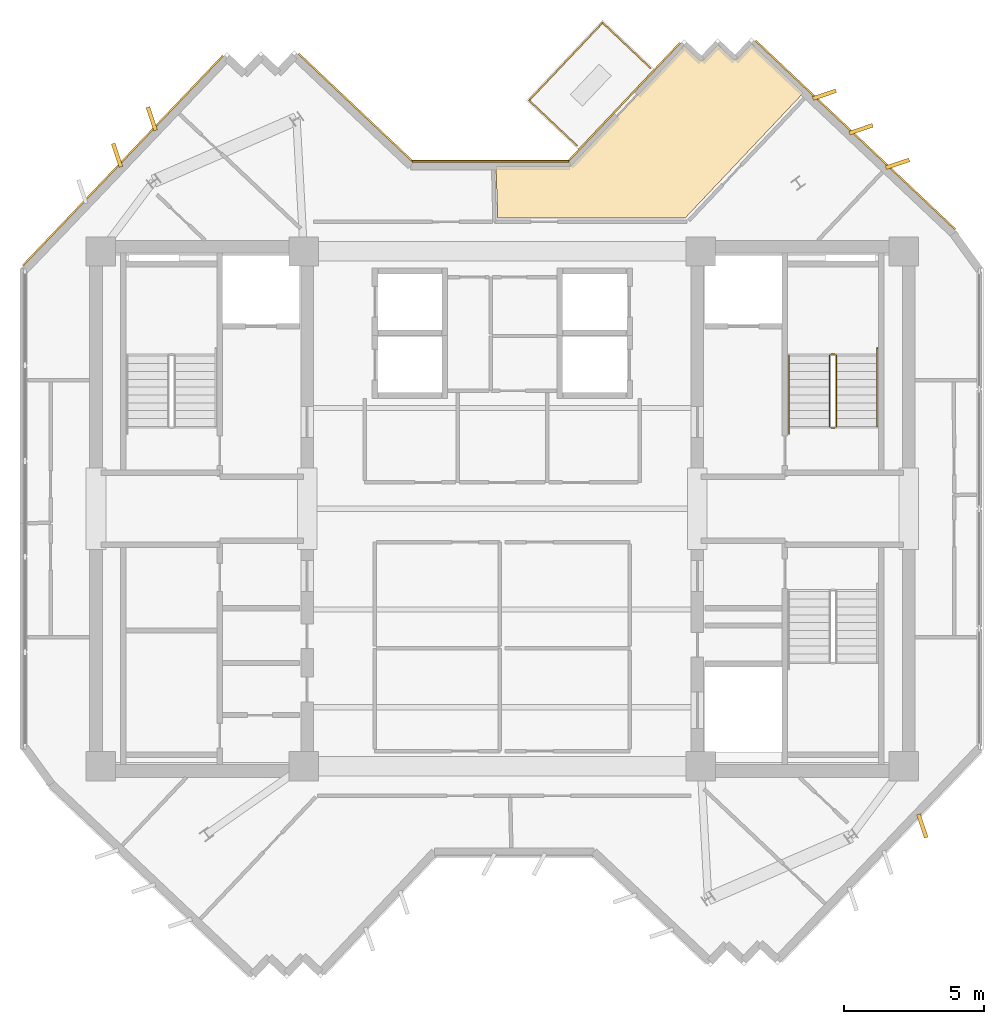
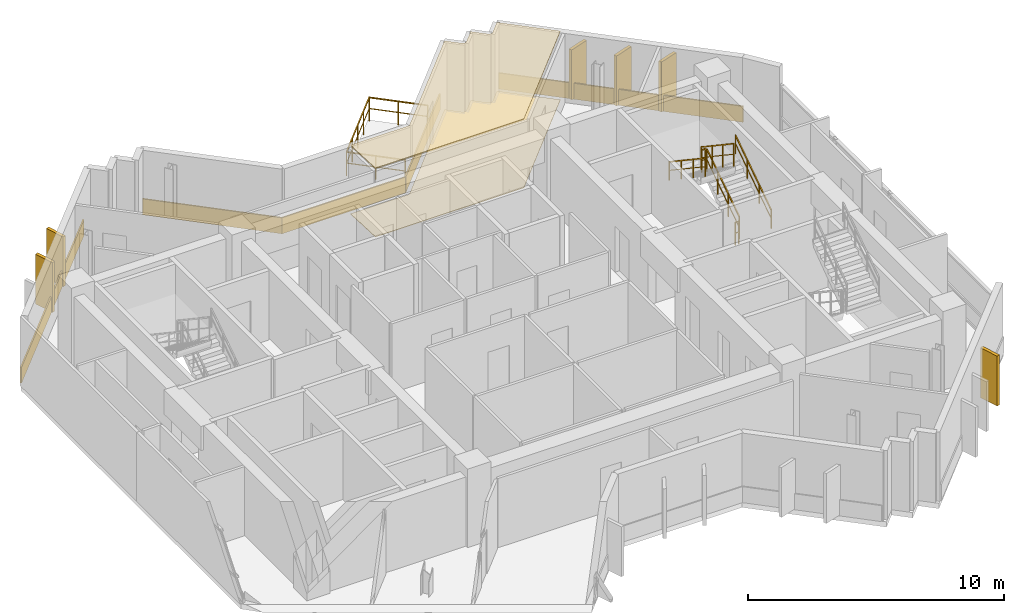
# One storey, part 9 of 9: 13 coverings, 9 railings.
"""IFC4 building model written with IfcOpenShell, lengths in metres."""

from ifc_helpers import new_model, si_unit, direction, frame, origin, origin_2d, place, context, subcontext, project, spatial, polyline, rectangle, outline, extrude, source, transform, mapped, material, layer, layer_set, type_object, element, save


model = new_model("IFC4")

# Units and contexts
model_context = context("Model", 3, precision=1e-05, world=origin(), true_north=direction((0.0, 1.0)))
body_context = subcontext(model_context, "Body", "Model", "MODEL_VIEW")
ifc_project = project(units=[si_unit("LENGTHUNIT", "METRE"), si_unit("AREAUNIT", "SQUARE_METRE"), si_unit("VOLUMEUNIT", "CUBIC_METRE"), si_unit("PLANEANGLEUNIT", "RADIAN"), si_unit("MASSUNIT", "GRAM", prefix="KILO")], contexts=[model_context])

# Site, building, storey
site_placement = place(None, origin())
site = spatial("IfcSite", under=ifc_project, at=site_placement, CompositionType="ELEMENT")
building_placement = place(site_placement, origin())
building = spatial("IfcBuilding", under=site, at=building_placement, Name="Zahravan Cultural Tower", CompositionType="ELEMENT")
storey_placement = place(building_placement, frame((0.0, 0.0, 310.35009765625)))
storey = spatial("IfcBuildingStorey", under=building, at=storey_placement, Name="L75", CompositionType="ELEMENT", Elevation=310.35009765625)

# Coverings
ifc_material_1 = material(Name="Acoustic mineral fibreboard")
ifc_layer_1 = layer(ifc_material_1, 0.0400390625)
ifc_layer_set_1 = layer_set([ifc_layer_1], Name="Acoustic mineral fibreboard")
covering_type_1 = type_object("IfcCoveringType", Name="COV-CEIL-AC20", PredefinedType="CEILING", material=ifc_layer_set_1)
covering_1_placement = place(storey_placement, frame((0.0, 0.0, 3.260009765625)))
element("IfcCovering", 1, at=covering_1_placement, inside=storey, type_object=covering_type_1, Name="L75 Acoustic Suspended Ceiling", PredefinedType="CEILING", context=body_context, shape_type="SweptSolid", body=[
    extrude(outline(polyline([(44.910888671875, 43.62060546875), (44.431396484375, 43.11328125), (44.38671875, 43.08154296875), (44.3251953125, 43.0673828125), (44.262939453125, 43.077880859375), (44.21630859375, 43.107177734375), (43.709228515625, 43.58642578125), (43.22021484375, 43.069580078125), (43.1552734375, 43.03662109375), (43.076171875, 43.0380859375), (43.01611328125, 43.072021484375), (42.5078125, 43.552490234375), (38.4736328125, 39.2841796875), (38.427001953125, 39.25146484375), (38.37109375, 39.239990234375), (35.775390625, 39.239990234375), (35.8359375, 37.39990234375), (42.54052734375, 37.39990234375), (46.76416015625, 41.868896484375), (44.910888671875, 43.62060546875)])), origin(), (0.0, 0.0, 1.0), 0.039794921875),
])
ifc_material_2 = material(Name="Terrazzo flooring")
ifc_layer_2 = layer(ifc_material_2, 0.02490234375)
ifc_layer_set_2 = layer_set([ifc_layer_2], Name="Terrazzo flooring")
covering_type_2 = type_object("IfcCoveringType", Name="COV-FLR-TZ25", PredefinedType="FLOORING", material=ifc_layer_set_2)
covering_2_placement = place(storey_placement, origin())
element("IfcCovering", 2, at=covering_2_placement, inside=storey, type_object=covering_type_2, Name="L75 Polished Terrazzo Flooring", PredefinedType="FLOORING", context=body_context, shape_type="SweptSolid", body=[
    extrude(outline(polyline([(44.910888671875, 43.62060546875), (44.431396484375, 43.11328125), (44.38671875, 43.08154296875), (44.3251953125, 43.0673828125), (44.262939453125, 43.077880859375), (44.21630859375, 43.107177734375), (43.709228515625, 43.58642578125), (43.22021484375, 43.069580078125), (43.1552734375, 43.03662109375), (43.076171875, 43.0380859375), (43.01611328125, 43.072021484375), (42.5078125, 43.552490234375), (38.4736328125, 39.2841796875), (38.427001953125, 39.25146484375), (38.37109375, 39.239990234375), (35.775390625, 39.239990234375), (35.8359375, 37.39990234375), (42.54052734375, 37.39990234375), (46.76416015625, 41.868896484375), (44.910888671875, 43.62060546875)])), origin(), (0.0, 0.0, 1.0), 0.02490234375),
])

# Railings
ifc_material_3 = material(Name="Steel ASTM A572 Grade 50", Category="steel")
railing_type_1 = type_object("IfcRailingType", Name="RL-BAL-1150", PredefinedType="BALUSTRADE", material=ifc_material_3)
railing_1_placement = place(storey_placement, frame((36.960205078125, 41.599365234375, 0.0)))
element("IfcRailing", 3, at=railing_1_placement, inside=storey, type_object=railing_type_1, Name="L75 Edge Balustrade GRD-TR-L75-NE-01", PredefinedType="BALUSTRADE", context=body_context, shape_type="SweptSolid", body=[
    extrude(rectangle(XDim=0.05, YDim=0.05, at=origin_2d()), frame((0.0, 0.0, 1.125), z_axis=(0.686918114737, 0.726734823472, 0.0), x_axis=(-0.726734823472, 0.686918114737, 0.0)), (0.0, 0.0, 1.0), 3.820068359375),
    extrude(rectangle(XDim=0.032, YDim=0.032, at=origin_2d()), frame((0.0, 0.0, 0.597900390625), z_axis=(0.686918114737, 0.726734823472, 0.0), x_axis=(-0.726734823472, 0.686918114737, 0.0)), (0.0, 0.0, 1.0), 3.820068359375),
    extrude(rectangle(XDim=0.04, YDim=0.04, at=origin_2d()), origin(), (0.0, 0.0, 1.0), 1.14990234375),
    extrude(rectangle(XDim=0.04, YDim=0.04, at=origin_2d()), frame((0.656005859375, 0.694091796875, 0.0)), (0.0, 0.0, 1.0), 1.14990234375),
    extrude(rectangle(XDim=0.04, YDim=0.04, at=origin_2d()), frame((1.31201171875, 1.38818359375, 0.0)), (0.0, 0.0, 1.0), 1.14990234375),
    extrude(rectangle(XDim=0.04, YDim=0.04, at=origin_2d()), frame((1.968017578125, 2.08203125, 0.0)), (0.0, 0.0, 1.0), 1.14990234375),
    extrude(rectangle(XDim=0.04, YDim=0.04, at=origin_2d()), frame((2.6240234375, 2.776123046875, 0.0)), (0.0, 0.0, 1.0), 1.14990234375),
])
railing_2_placement = place(storey_placement, frame((39.584228515625, 44.37548828125, 0.0)))
element("IfcRailing", 4, at=railing_2_placement, inside=storey, type_object=railing_type_1, Name="L75 Edge Balustrade GRD-TR-L75-NE-02", PredefinedType="BALUSTRADE", context=body_context, shape_type="SweptSolid", body=[
    extrude(rectangle(XDim=0.05, YDim=0.05, at=origin_2d()), frame((0.0, 0.0, 1.125), z_axis=(0.726773954161, -0.686876713504, 0.0), x_axis=(0.686876713504, 0.726773954161, 0.0)), (0.0, 0.0, 1.0), 2.349853515625),
    extrude(rectangle(XDim=0.032, YDim=0.032, at=origin_2d()), frame((0.0, 0.0, 0.597900390625), z_axis=(0.726773954161, -0.686876713504, 0.0), x_axis=(0.686876713504, 0.726773954161, 0.0)), (0.0, 0.0, 1.0), 2.349853515625),
    extrude(rectangle(XDim=0.04, YDim=0.04, at=origin_2d()), origin(), (0.0, 0.0, 1.0), 1.14990234375),
    extrude(rectangle(XDim=0.04, YDim=0.04, at=origin_2d()), frame((0.85400390625, -0.80712890625, 0.0)), (0.0, 0.0, 1.0), 1.14990234375),
    extrude(rectangle(XDim=0.04, YDim=0.04, at=origin_2d()), frame((1.707763671875, -1.614013671875, 0.0)), (0.0, 0.0, 1.0), 1.14990234375),
])
railing_3_placement = place(storey_placement, frame((38.668212890625, 39.985107421875, 0.0)))
element("IfcRailing", 5, at=railing_3_placement, inside=storey, type_object=railing_type_1, Name="L75 Edge Balustrade GRD-TR-L75-NE-03", PredefinedType="BALUSTRADE", context=body_context, shape_type="SweptSolid", body=[
    extrude(rectangle(XDim=0.05, YDim=0.05, at=origin_2d()), frame((0.0, 0.0, 1.125), z_axis=(-0.726771107272, 0.686879725741, 0.0), x_axis=(-0.686879725741, -0.726771107272, 0.0)), (0.0, 0.0, 1.0), 2.35009765625),
    extrude(rectangle(XDim=0.032, YDim=0.032, at=origin_2d()), frame((0.0, 0.0, 0.597900390625), z_axis=(-0.726771107272, 0.686879725741, 0.0), x_axis=(-0.686879725741, -0.726771107272, 0.0)), (0.0, 0.0, 1.0), 2.35009765625),
    extrude(rectangle(XDim=0.04, YDim=0.04, at=origin_2d()), origin(), (0.0, 0.0, 1.0), 1.14990234375),
    extrude(rectangle(XDim=0.04, YDim=0.04, at=origin_2d()), frame((-0.85400390625, 0.80712890625, 0.0)), (0.0, 0.0, 1.0), 1.14990234375),
    extrude(rectangle(XDim=0.04, YDim=0.04, at=origin_2d()), frame((-1.7080078125, 1.6142578125, 0.0)), (0.0, 0.0, 1.0), 1.14990234375),
])
railing_type_2 = type_object("IfcRailingType", Name="RL-STAIR-GRD1150", PredefinedType="BALUSTRADE", material=ifc_material_3)
railing_4_placement = place(storey_placement, frame((47.949951171875, 29.949951171875, 0.1875)))
element("IfcRailing", 6, at=railing_4_placement, inside=storey, type_object=railing_type_2, Name="L75 ST-E1 stair guard 1", PredefinedType="BALUSTRADE", context=body_context, shape_type="SweptSolid", body=[
    extrude(rectangle(XDim=0.05, YDim=0.05, at=origin_2d()), frame((0.0, 0.0, 1.0751953125), z_axis=(0.0, 0.830909170722, 0.55640807867), x_axis=(-1.0, 0.0, 0.0)), (0.0, 0.0, 1.0), 3.032958984375),
    extrude(rectangle(XDim=0.032, YDim=0.032, at=origin_2d()), frame((0.0, 0.0, 0.572021484375), z_axis=(0.0, 0.830909170722, 0.55640807867), x_axis=(-1.0, 0.0, 0.0)), (0.0, 0.0, 1.0), 3.032958984375),
    extrude(rectangle(XDim=0.04, YDim=0.04, at=origin_2d()), origin(), (0.0, 0.0, 1.0), 1.10009765625),
    extrude(rectangle(XDim=0.04, YDim=0.04, at=origin_2d()), frame((0.0, 0.840087890625, 0.5625)), (0.0, 0.0, 1.0), 1.10009765625),
    extrude(rectangle(XDim=0.04, YDim=0.04, at=origin_2d()), frame((0.0, 1.679931640625, 1.125)), (0.0, 0.0, 1.0), 1.10009765625),
    extrude(rectangle(XDim=0.04, YDim=0.04, at=origin_2d()), frame((0.0, 2.52001953125, 1.6875)), (0.0, 0.0, 1.0), 1.10009765625),
])
railing_5_placement = place(storey_placement, frame((47.89990234375, 32.52001953125, 1.875)))
element("IfcRailing", 7, at=railing_5_placement, inside=storey, type_object=railing_type_2, Name="L75 ST-E1 stair guard 2", PredefinedType="BALUSTRADE", context=body_context, shape_type="SweptSolid", body=[
    extrude(rectangle(XDim=0.05, YDim=0.05, at=origin_2d()), frame((0.0, 0.0, 1.0751953125), z_axis=(-1.0, 0.0, 0.0), x_axis=(0.0, -1.0, 0.0)), (0.0, 0.0, 1.0), 0.14990234375),
    extrude(rectangle(XDim=0.032, YDim=0.032, at=origin_2d()), frame((0.0, 0.0, 0.572021484375), z_axis=(-1.0, 0.0, 0.0), x_axis=(0.0, -1.0, 0.0)), (0.0, 0.0, 1.0), 0.14990234375),
    extrude(rectangle(XDim=0.04, YDim=0.04, at=origin_2d()), origin(), (0.0, 0.0, 1.0), 1.10009765625),
    extrude(rectangle(XDim=0.04, YDim=0.04, at=origin_2d()), frame((-0.14990234375, 0.0, 0.0)), (0.0, 0.0, 1.0), 1.10009765625),
])
railing_6_placement = place(storey_placement, frame((47.699951171875, 32.469970703125, 2.0625)))
element("IfcRailing", 8, at=railing_6_placement, inside=storey, type_object=railing_type_2, Name="L75 ST-E1 stair guard 3", PredefinedType="BALUSTRADE", context=body_context, shape_type="SweptSolid", body=[
    extrude(rectangle(XDim=0.05, YDim=0.05, at=origin_2d()), frame((0.0, 0.0, 1.0751953125), z_axis=(0.0, -0.830909170722, 0.55640807867), x_axis=(1.0, 0.0, 0.0)), (0.0, 0.0, 1.0), 3.032958984375),
    extrude(rectangle(XDim=0.032, YDim=0.032, at=origin_2d()), frame((0.0, 0.0, 0.572021484375), z_axis=(0.0, -0.830909170722, 0.55640807867), x_axis=(1.0, 0.0, 0.0)), (0.0, 0.0, 1.0), 3.032958984375),
    extrude(rectangle(XDim=0.04, YDim=0.04, at=origin_2d()), origin(), (0.0, 0.0, 1.0), 1.10009765625),
    extrude(rectangle(XDim=0.04, YDim=0.04, at=origin_2d()), frame((0.0, -0.840087890625, 0.5625)), (0.0, 0.0, 1.0), 1.10009765625),
    extrude(rectangle(XDim=0.04, YDim=0.04, at=origin_2d()), frame((0.0, -1.679931640625, 1.125)), (0.0, 0.0, 1.0), 1.10009765625),
    extrude(rectangle(XDim=0.04, YDim=0.04, at=origin_2d()), frame((0.0, -2.52001953125, 1.6875)), (0.0, 0.0, 1.0), 1.10009765625),
])
railing_7_placement = place(storey_placement, frame((47.89990234375, 29.89990234375, 0.0)))
element("IfcRailing", 9, at=railing_7_placement, inside=storey, type_object=railing_type_2, Name="L75 ST-E1 stair guard 4", PredefinedType="BALUSTRADE", context=body_context, shape_type="SweptSolid", body=[
    extrude(rectangle(XDim=0.05, YDim=0.05, at=origin_2d()), frame((0.0, 0.0, 1.0751953125), z_axis=(-1.0, 0.0, 0.0), x_axis=(0.0, -1.0, 0.0)), (0.0, 0.0, 1.0), 0.14990234375),
    extrude(rectangle(XDim=0.032, YDim=0.032, at=origin_2d()), frame((0.0, 0.0, 0.572021484375), z_axis=(-1.0, 0.0, 0.0), x_axis=(0.0, -1.0, 0.0)), (0.0, 0.0, 1.0), 0.14990234375),
    extrude(rectangle(XDim=0.04, YDim=0.04, at=origin_2d()), origin(), (0.0, 0.0, 1.0), 1.10009765625),
    extrude(rectangle(XDim=0.04, YDim=0.04, at=origin_2d()), frame((-0.14990234375, 0.0, 0.0)), (0.0, 0.0, 1.0), 1.10009765625),
])
railing_type_3 = type_object("IfcRailingType", Name="RL-STAIR-HR900", PredefinedType="HANDRAIL", material=ifc_material_3)
railing_8_placement = place(storey_placement, frame((49.39990234375, 29.949951171875, 0.1875)))
element("IfcRailing", 10, at=railing_8_placement, inside=storey, type_object=railing_type_3, Name="L75 ST-E1 stair handrail 1", PredefinedType="HANDRAIL", context=body_context, shape_type="SweptSolid", body=[
    extrude(rectangle(XDim=0.05, YDim=0.05, at=origin_2d()), frame((0.0, 0.0, 0.875), z_axis=(0.0, 0.830911662861, 0.55640435703), x_axis=(-1.0, 0.0, 0.0)), (0.0, 0.0, 1.0), 3.369873046875),
    extrude(rectangle(XDim=0.032, YDim=0.032, at=origin_2d()), frame((0.0, 0.0, 0.468017578125), z_axis=(0.0, 0.830911662861, 0.55640435703), x_axis=(-1.0, 0.0, 0.0)), (0.0, 0.0, 1.0), 3.369873046875),
    extrude(rectangle(XDim=0.04, YDim=0.04, at=origin_2d()), origin(), (0.0, 0.0, 1.0), 0.89990234375),
    extrude(rectangle(XDim=0.04, YDim=0.04, at=origin_2d()), frame((0.0, 0.933349609375, 0.625)), (0.0, 0.0, 1.0), 0.89990234375),
    extrude(rectangle(XDim=0.04, YDim=0.04, at=origin_2d()), frame((0.0, 1.86669921875, 1.25)), (0.0, 0.0, 1.0), 0.89990234375),
    extrude(rectangle(XDim=0.04, YDim=0.04, at=origin_2d()), frame((0.0, 2.800048828125, 1.875)), (0.0, 0.0, 1.0), 0.89990234375),
])
railing_9_placement = place(storey_placement, frame((46.25, 32.469970703125, 2.0625)))
element("IfcRailing", 11, at=railing_9_placement, inside=storey, type_object=railing_type_3, Name="L75 ST-E1 stair handrail 2", PredefinedType="HANDRAIL", context=body_context, shape_type="SweptSolid", body=[
    extrude(rectangle(XDim=0.05, YDim=0.05, at=origin_2d()), frame((0.0, 0.0, 0.875), z_axis=(0.0, -0.830911662861, 0.55640435703), x_axis=(1.0, 0.0, 0.0)), (0.0, 0.0, 1.0), 3.369873046875),
    extrude(rectangle(XDim=0.032, YDim=0.032, at=origin_2d()), frame((0.0, 0.0, 0.468017578125), z_axis=(0.0, -0.830911662861, 0.55640435703), x_axis=(1.0, 0.0, 0.0)), (0.0, 0.0, 1.0), 3.369873046875),
    extrude(rectangle(XDim=0.04, YDim=0.04, at=origin_2d()), origin(), (0.0, 0.0, 1.0), 0.89990234375),
    extrude(rectangle(XDim=0.04, YDim=0.04, at=origin_2d()), frame((0.0, -0.933349609375, 0.625)), (0.0, 0.0, 1.0), 0.89990234375),
    extrude(rectangle(XDim=0.04, YDim=0.04, at=origin_2d()), frame((0.0, -1.86669921875, 1.25)), (0.0, 0.0, 1.0), 0.89990234375),
    extrude(rectangle(XDim=0.04, YDim=0.04, at=origin_2d()), frame((0.0, -2.800048828125, 1.875)), (0.0, 0.0, 1.0), 0.89990234375),
])

# Coverings
ifc_material_4 = material(Name="Terracotta ceramic cladding", Category="masonry")
ifc_layer_3 = layer(ifc_material_4, 0.06005859375)
ifc_layer_set_3 = layer_set([ifc_layer_3], Name="Terracotta ceramic cladding")
covering_type_3 = type_object("IfcCoveringType", Name="COV-CLAD-TC60", PredefinedType="CLADDING", material=ifc_layer_set_3)
shared_shape_1 = source(origin(), body_context, "Body", "SweptSolid", [
    extrude(rectangle(XDim=9.820068359375, YDim=0.06005859375, at=origin_2d()), origin(), (0.0, 0.0, 1.0), 0.760009765625),
])
covering_3_placement = place(storey_placement, frame((48.628173828125, 40.36181640625, 0.02001953125), z_axis=(0.0, 0.0, 1.0), x_axis=(0.726766513668, -0.686884586092, 0.0)))
element("IfcCovering", 12, at=covering_3_placement, inside=storey, type_object=covering_type_3, Name="L75 Terracotta Spandrel Cladding 06", PredefinedType="CLADDING", context=body_context, shape_type="MappedRepresentation", body=[
    mapped(shared_shape_1, transform((0.0, 0.0, 0.0), x_axis=(1.0, 0.0, 0.0), y_axis=(0.0, 1.0, 0.0), z_axis=(0.0, 0.0, 1.0), scale=1.0)),
])
shared_shape_2 = source(origin(), body_context, "Body", "SweptSolid", [
    extrude(rectangle(XDim=5.84521484375, YDim=0.06005859375, at=origin_2d()), origin(), (0.0, 0.0, 1.0), 0.760009765625),
])
covering_4_placement = place(storey_placement, frame((40.34521484375, 41.53369140625, 0.02001953125), z_axis=(0.0, 0.0, 1.0), x_axis=(0.686871901519, 0.726778501955, 0.0)))
element("IfcCovering", 13, at=covering_4_placement, inside=storey, type_object=covering_type_3, Name="L75 Terracotta Spandrel Cladding 01", PredefinedType="CLADDING", context=body_context, shape_type="MappedRepresentation", body=[
    mapped(shared_shape_2, transform((0.0, 0.0, 0.0), x_axis=(1.0, 0.0, 0.0), y_axis=(0.0, 1.0, 0.0), z_axis=(0.0, 0.0, 1.0), scale=1.0)),
])
shared_shape_3 = source(origin(), body_context, "Body", "SweptSolid", [
    extrude(rectangle(XDim=10.3701171875, YDim=0.06005859375, at=origin_2d()), origin(), (0.0, 0.0, 1.0), 0.760009765625),
])
covering_5_placement = place(storey_placement, frame((22.43310546875, 39.444580078125, 0.02001953125), z_axis=(0.0, 0.0, 1.0), x_axis=(0.690061786457, 0.723750461742, 0.0)))
element("IfcCovering", 14, at=covering_5_placement, inside=storey, type_object=covering_type_3, Name="L75 Terracotta Spandrel Cladding 22", PredefinedType="CLADDING", context=body_context, shape_type="MappedRepresentation", body=[
    mapped(shared_shape_3, transform((0.0, 0.0, 0.0), x_axis=(1.0, 0.0, 0.0), y_axis=(0.0, 1.0, 0.0), z_axis=(0.0, 0.0, 1.0), scale=1.0)),
])
shared_shape_4 = source(origin(), body_context, "Body", "SweptSolid", [
    extrude(rectangle(XDim=5.617919921875, YDim=0.06005859375, at=origin_2d()), origin(), (0.0, 0.0, 1.0), 0.760009765625),
])
covering_6_placement = place(storey_placement, frame((30.759521484375, 41.34375, 0.02001953125), z_axis=(0.0, 0.0, 1.0), x_axis=(0.726766513668, -0.686884586092, 0.0)))
element("IfcCovering", 15, at=covering_6_placement, inside=storey, type_object=covering_type_3, Name="L75 Terracotta Spandrel Cladding 27", PredefinedType="CLADDING", context=body_context, shape_type="MappedRepresentation", body=[
    mapped(shared_shape_4, transform((0.0, 0.0, 0.0), x_axis=(1.0, 0.0, 0.0), y_axis=(0.0, 1.0, 0.0), z_axis=(0.0, 0.0, 1.0), scale=1.0)),
])
shared_shape_5 = source(origin(), body_context, "Body", "SweptSolid", [
    extrude(rectangle(XDim=5.599365234375, YDim=0.06005859375, at=origin_2d()), origin(), (0.0, 0.0, 1.0), 0.760009765625),
])
covering_7_placement = place(storey_placement, frame((35.573486328125, 39.425048828125, 0.02001953125), z_axis=(0.0, 0.0, 1.0), x_axis=(1.0, 0.0, 0.0)))
element("IfcCovering", 16, at=covering_7_placement, inside=storey, type_object=covering_type_3, Name="L75 Terracotta Spandrel Cladding 28", PredefinedType="CLADDING", context=body_context, shape_type="MappedRepresentation", body=[
    mapped(shared_shape_5, transform((0.0, 0.0, 0.0), x_axis=(1.0, 0.0, 0.0), y_axis=(0.0, 1.0, 0.0), z_axis=(0.0, 0.0, 1.0), scale=1.0)),
])
shared_shape_6 = source(origin(), body_context, "Body", "SweptSolid", [
    extrude(rectangle(XDim=0.8798828125, YDim=0.139892578125, at=origin_2d()), origin(), (0.0, 0.0, 1.0), 2.3798828125),
])
for number, where, z_axis, x_axis, name in (
    (17, (47.515869140625, 41.805419921875, 0.050048828125), (0.0, 0.0, 1.0), (0.947679302814, 0.319223963727, 0.0), "L75 Herringbone Terracotta Fin 01"),
    (18, (48.823974609375, 40.56884765625, 0.050048828125), (0.0, 0.0, 1.0), (0.947679302814, 0.319223963727, 0.0), "L75 Herringbone Terracotta Fin 02"),
    (19, (50.132080078125, 39.33251953125, 0.050048828125), (0.0, 0.0, 1.0), (0.947679302814, 0.319223963727, 0.0), "L75 Herringbone Terracotta Fin 03"),
    (20, (51.015380859375, 15.661376953125, 0.050048828125), (0.0, 0.0, 1.0), (0.315069342719, -0.949068653617, 0.0), "L75 Herringbone Terracotta Fin 04"),
    (21, (22.226806640625, 39.641357421875, 0.050048828125), (0.0, 0.0, 1.0), (-0.315069342719, 0.949068653617, 0.0), "L75 Herringbone Terracotta Fin 17"),
    (22, (23.468994140625, 40.944091796875, 0.050048828125), (0.0, 0.0, 1.0), (-0.315069342719, 0.949068653617, 0.0), "L75 Herringbone Terracotta Fin 18"),
):
    element("IfcCovering", number, at=place(storey_placement, frame(where, z_axis=z_axis, x_axis=x_axis)), inside=storey, type_object=covering_type_3, Name=name, PredefinedType="CLADDING", context=body_context, shape_type="MappedRepresentation", body=[
        mapped(shared_shape_6, transform((0.0, 0.0, 0.0), x_axis=(1.0, 0.0, 0.0), y_axis=(0.0, 1.0, 0.0), z_axis=(0.0, 0.0, 1.0), scale=1.0)),
    ])

save(model, "model.ifc")
